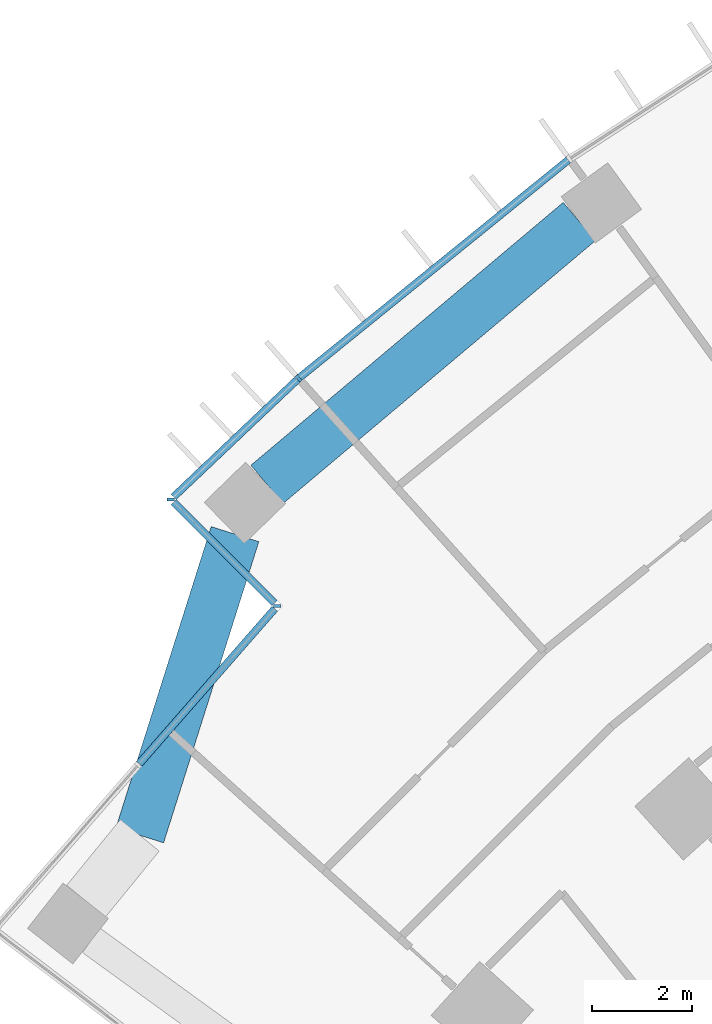
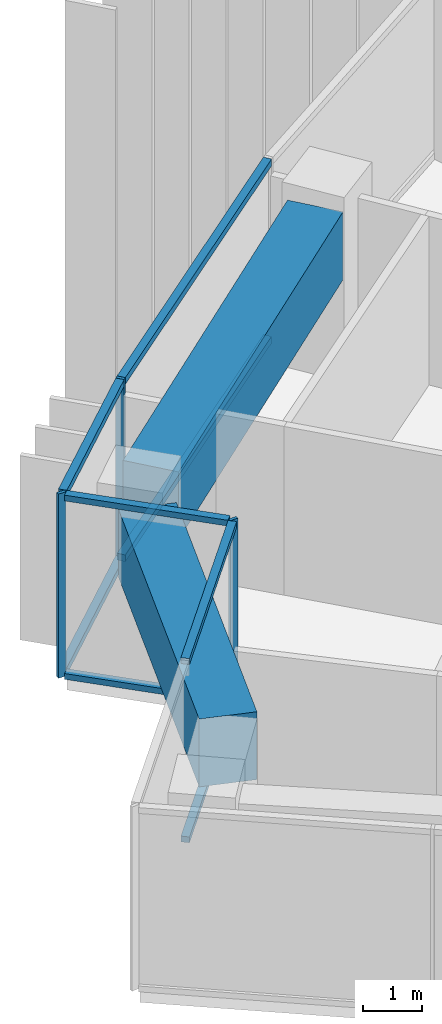
# One storey, part 4 of 23: 11 members, 2 beams, 3 elements without a shape of their own.
"""IFC4 building model written with IfcOpenShell, lengths in metres."""

import ifcopenshell
import ifcopenshell.guid

model = None  # the IFC model being written
_history = None  # IfcOwnerHistory: only IFC2X3 demands one
_inside = {}  # id of a spatial element -> (the spatial element, [elements in it])
_under = {}  # id of a project, library or spatial element -> (it, [spatial elements below it])
_declared = {}  # id of a project -> (the project, [libraries it declares])
_typed = {}  # id of a type object -> (the type object, [elements of that type])
_made_of = {}  # id of a material, layer set ... -> (it, [elements and type objects made of it])


def new_model(schema):
    """Start an empty IFC model of exactly this schema.

    Asked for "IFC4X3", IfcOpenShell would pick the latest addendum, in which some entities
    have other attributes; the version numbers below select the first issue.
    IFC2X3 requires an IfcOwnerHistory on every rooted entity: one is made here for all.
    """
    global model, _history
    if schema == "IFC4X3":
        model = ifcopenshell.file(schema_version=(4, 3, 0, 0))
    else:
        model = ifcopenshell.file(schema=schema)
    _inside.clear()
    _under.clear()
    _declared.clear()
    _typed.clear()
    _made_of.clear()
    _history = None
    if model.schema == "IFC2X3":
        org = make("IfcOrganization", Name="unknown")
        user = make(
            "IfcPersonAndOrganization",
            ThePerson=make("IfcPerson", FamilyName="unknown"),
            TheOrganization=org,
        )
        app = make(
            "IfcApplication",
            ApplicationDeveloper=org,
            Version="unknown",
            ApplicationFullName="unknown",
            ApplicationIdentifier="unknown",
        )
        _history = make(
            "IfcOwnerHistory",
            OwningUser=user,
            OwningApplication=app,
            ChangeAction="ADDED",
            CreationDate=0,
        )
    return model


def make(cls, **values):
    """One entity of the class cls with the attributes given. An attribute that is None is left unset."""
    return model.create_entity(
        cls, **{name: value for name, value in values.items() if value is not None}
    )


def rooted(cls, **values):
    """An entity with a GlobalId (a new one), such as an element, a storey or a relation."""
    return make(cls, GlobalId=ifcopenshell.guid.new(), OwnerHistory=_history, **values)


def si_unit(unit_type, name, prefix=None):
    """IfcSIUnit, for example si_unit("LENGTHUNIT", "METRE", prefix="MILLI")."""
    return make("IfcSIUnit", UnitType=unit_type, Prefix=prefix, Name=name)


def assignment(units):
    """IfcUnitAssignment: the units of a project."""
    return None if units is None else make("IfcUnitAssignment", Units=units)


def point(xyz):
    """IfcCartesianPoint."""
    return None if xyz is None else make("IfcCartesianPoint", Coordinates=xyz)


def direction(xyz):
    """IfcDirection."""
    return None if xyz is None else make("IfcDirection", DirectionRatios=xyz)


def frame(location, z_axis=None, x_axis=None):
    """IfcAxis2Placement3D, a coordinate frame: its origin and axes. An axis left out is left unset."""
    return make(
        "IfcAxis2Placement3D",
        Location=point(location),
        Axis=direction(z_axis),
        RefDirection=direction(x_axis),
    )


def frame_2d(location, x_axis=None):
    """IfcAxis2Placement2D, a coordinate frame in the plane: its origin and x axis."""
    return make(
        "IfcAxis2Placement2D", Location=point(location), RefDirection=direction(x_axis)
    )


def origin():
    """The frame at (0, 0, 0) with its axes left unset."""
    return frame((0.0, 0.0, 0.0))


def origin_2d():
    """The frame at (0, 0) in the plane with its x axis left unset."""
    return frame_2d((0.0, 0.0))


def place(relative_to, where):
    """IfcLocalPlacement: puts the frame where relative to a parent placement (None: the world)."""
    return make(
        "IfcLocalPlacement", PlacementRelTo=relative_to, RelativePlacement=where
    )


def context(
    kind, dimensions, precision=None, world=None, true_north=None, identifier=None
):
    """IfcGeometricRepresentationContext, for example the 3D "Model" context."""
    return make(
        "IfcGeometricRepresentationContext",
        ContextIdentifier=identifier,
        ContextType=kind,
        CoordinateSpaceDimension=dimensions,
        Precision=precision,
        WorldCoordinateSystem=world,
        TrueNorth=true_north,
    )


def subcontext(parent, identifier, kind, view, scale=None):
    """IfcGeometricRepresentationSubContext, for example "Body" below "Model"."""
    return make(
        "IfcGeometricRepresentationSubContext",
        ContextIdentifier=identifier,
        ContextType=kind,
        ParentContext=parent,
        TargetScale=scale,
        TargetView=view,
    )


def project(units=None, contexts=None):
    """IfcProject with its units and contexts."""
    return rooted(
        "IfcProject",
        Name="project",
        RepresentationContexts=contexts,
        UnitsInContext=assignment(units),
    )


def spatial(cls, under=None, at=None, **own):
    """A site, building, storey or space (cls), placed at a placement, below another one or the project."""
    s = rooted(cls, ObjectPlacement=at, **own)
    if under is not None:
        _under.setdefault(under.id(), (under, []))[1].append(s)
    return s


def profile(cls, at=None, kind="AREA", **sizes):
    """A parametric profile (cls). Its sizes go by their IFC names, for example OverallWidth=200.0."""
    return make(cls, ProfileType=kind, Position=at, **sizes)


def rectangle(**sizes):
    """IfcRectangleProfileDef."""
    return profile("IfcRectangleProfileDef", **sizes)


def extrude(swept, where, along, depth):
    """IfcExtrudedAreaSolid: the profile swept, set in the frame where, extruded along a direction by depth."""
    return make(
        "IfcExtrudedAreaSolid",
        SweptArea=swept,
        Position=where,
        ExtrudedDirection=direction(along),
        Depth=depth,
    )


def shape(context_of_items, identifier, shape_type, items):
    """IfcShapeRepresentation: the items that make up one representation, for example the "Body"."""
    return make(
        "IfcShapeRepresentation",
        ContextOfItems=context_of_items,
        RepresentationIdentifier=identifier,
        RepresentationType=shape_type,
        Items=items,
    )


def material(Name=None, Category=None):
    """IfcMaterial."""
    return make("IfcMaterial", Name=Name, Category=Category)


def layer(
    of_material, thickness, ventilated=None, Name=None, Category=None, Priority=None
):
    """IfcMaterialLayer: one layer of a wall or slab, of a material (None: an air gap)."""
    return make(
        "IfcMaterialLayer",
        Material=of_material,
        LayerThickness=thickness,
        IsVentilated=ventilated,
        Name=Name,
        Category=Category,
        Priority=Priority,
    )


def layer_set(layers, Name=None):
    """IfcMaterialLayerSet."""
    return make("IfcMaterialLayerSet", MaterialLayers=layers, LayerSetName=Name)


def material_profile(
    of_material, cross_section, Name=None, Category=None, Priority=None
):
    """IfcMaterialProfile: a cross section and its material."""
    return make(
        "IfcMaterialProfile",
        Name=Name,
        Material=of_material,
        Profile=cross_section,
        Priority=Priority,
        Category=Category,
    )


def profile_set(profiles, Name=None, composite=None):
    """IfcMaterialProfileSet."""
    return make(
        "IfcMaterialProfileSet",
        Name=Name,
        MaterialProfiles=profiles,
        CompositeProfile=composite,
    )


def made_of(thing, what):
    """Note that an element or type object is made of a material, layer set ...; save() writes the relation."""
    if what is not None:
        _made_of.setdefault(what.id(), (what, []))[1].append(thing)
    return thing


def type_object(cls, material=None, **own):
    """A type object (cls), such as IfcWallType, which elements share."""
    return made_of(rooted(cls, **own), material)


def element(
    cls,
    number,
    at=None,
    inside=None,
    cuts=None,
    type_object=None,
    material=None,
    context=None,
    identifier="Body",
    shape_type=None,
    held_by="IfcProductDefinitionShape",
    body=None,
    shapes=None,
    **own,
):
    """One element of the class cls, such as IfcWall. Its Tag is "e" and its number.

    at: its placement. inside: the storey or other place that contains it. cuts: it is an
    opening in that element (IfcRelVoidsElement). A single representation is given by context,
    identifier, shape_type and body (its items); several are given by shapes. held_by: the class
    of the entity that holds the representations. save() writes the other relations.
    """
    e = rooted(cls, Tag="e%d" % number, ObjectPlacement=at, **own)
    if body is not None:
        shapes = [shape(context, identifier, shape_type, body)]
    if shapes is not None:
        e.Representation = make(held_by, Representations=shapes)
    if inside is not None:
        _inside.setdefault(inside.id(), (inside, []))[1].append(e)
    if cuts is not None:
        rooted(
            "IfcRelVoidsElement", RelatingBuildingElement=cuts, RelatedOpeningElement=e
        )
    if type_object is not None:
        _typed.setdefault(type_object.id(), (type_object, []))[1].append(e)
    return made_of(e, material)


def aggregate(whole, parts):
    """IfcRelAggregates: a whole, such as a stair, and the parts it consists of."""
    return rooted("IfcRelAggregates", RelatingObject=whole, RelatedObjects=parts)


def save(model, path):
    """Write the relations noted so far, then the file.

    IfcRelAggregates (storeys below a building ...), IfcRelContainedInSpatialStructure (elements
    in a storey), IfcRelDefinesByType, IfcRelAssociatesMaterial and IfcRelDeclares: one each for
    every whole, place, type object, material and project.
    """
    for whole, parts in _under.values():
        aggregate(whole, parts)
    for where, things in _inside.values():
        rooted(
            "IfcRelContainedInSpatialStructure",
            RelatedElements=things,
            RelatingStructure=where,
        )
    for kind, things in _typed.values():
        rooted("IfcRelDefinesByType", RelatedObjects=things, RelatingType=kind)
    for what, things in _made_of.values():
        rooted("IfcRelAssociatesMaterial", RelatedObjects=things, RelatingMaterial=what)
    for by, libraries in _declared.values():
        rooted("IfcRelDeclares", RelatingContext=by, RelatedDefinitions=libraries)
    model.write(path)


model = new_model("IFC4")

# Units and contexts
model_context = context("Model", 3, precision=1e-05, world=origin(), true_north=direction((0.0, 1.0)))
body_context = subcontext(model_context, "Body", "Model", "MODEL_VIEW")
ifc_project = project(units=[si_unit("LENGTHUNIT", "METRE"), si_unit("AREAUNIT", "SQUARE_METRE"), si_unit("VOLUMEUNIT", "CUBIC_METRE"), si_unit("PLANEANGLEUNIT", "RADIAN"), si_unit("MASSUNIT", "GRAM", prefix="KILO")], contexts=[model_context])

# Site, building, storey
site_placement = place(None, origin())
site = spatial("IfcSite", under=ifc_project, at=site_placement, CompositionType="ELEMENT")
building_placement = place(site_placement, origin())
building = spatial("IfcBuilding", under=site, at=building_placement, Name="Stone Belt Terrace Tower", CompositionType="ELEMENT")
storey_placement = place(building_placement, frame((0.0, 0.0, 98.39990234375)))
storey = spatial("IfcBuildingStorey", under=building, at=storey_placement, Name="L23", CompositionType="ELEMENT", Elevation=98.39990234375)

# Curtain wall, members
ifc_material_1 = material(Name="Aluminium 6063-T6 anodised frame", Category="aluminium")
ifc_layer_1 = layer(ifc_material_1, 0.14990234375)
ifc_layer_set_1 = layer_set([ifc_layer_1], Name="CW-A unitised convex-face curtain wall")
curtain_wall_type_1 = type_object("IfcCurtainWallType", Name="CW-A unitised convex-face curtain wall", PredefinedType="NOTDEFINED", material=ifc_layer_set_1)
curtain_wall_1_placement = place(storey_placement, origin())
curtain_wall_1 = element("IfcCurtainWall", 1, at=curtain_wall_1_placement, inside=storey, type_object=curtain_wall_type_1, Name="CW-A convex face L23", PredefinedType="NOTDEFINED")
ifc_material_profile_1 = material_profile(ifc_material_1, rectangle(XDim=0.14990234375, YDim=0.06005859375, at=origin_2d()), Name="Aluminium 6063-T6 60x150")
ifc_profile_set_1 = profile_set([ifc_material_profile_1], Name="Aluminium 6063-T6 anodised frame")
member_type_1 = type_object("IfcMemberType", Name="CW-A mullion 60 x 150", PredefinedType="MULLION", material=ifc_profile_set_1)
member_1_placement = place(storey_placement, frame((-44.546630859375, 49.4755859375, 0.0), z_axis=(0.0, 0.0, 1.0), x_axis=(0.659207369679, -0.751961198308, 0.0)))
member_1 = element("IfcMember", 2, at=member_1_placement, type_object=member_type_1, Name="CW-A mullion 17", PredefinedType="MULLION", context=body_context, shape_type="SweptSolid", body=[
    extrude(rectangle(XDim=0.14990234375, YDim=0.06005859375, at=origin_2d()), origin(), (0.0, 0.0, 1.0), 3.800048828125),
])
ifc_material_profile_2 = material_profile(ifc_material_1, rectangle(XDim=0.14990234375, YDim=0.139892578125, at=origin_2d()), Name="Aluminium 6063-T6 150x140")
ifc_profile_set_2 = profile_set([ifc_material_profile_2], Name="Aluminium 6063-T6 anodised frame")
member_type_2 = type_object("IfcMemberType", Name="CW-A transom 140 x 150", PredefinedType="USERDEFINED", material=ifc_profile_set_2)
member_2_placement = place(storey_placement, frame((-39.158203125, 53.839111328125, 0.070068359375), z_axis=(-0.777141048626, -0.629326457842, 0.0), x_axis=(0.629326457842, -0.777141048626, 0.0)))
member_2 = element("IfcMember", 3, at=member_2_placement, type_object=member_type_2, Name="CW-A transom 16.1", ObjectType="TRANSOM", PredefinedType="USERDEFINED", context=body_context, shape_type="SweptSolid", body=[
    extrude(rectangle(XDim=0.14990234375, YDim=0.139892578125, at=origin_2d()), origin(), (0.0, 0.0, 1.0), 6.900634765625),
])
member_3_placement = place(storey_placement, frame((-39.158203125, 53.839111328125, 3.72998046875), z_axis=(-0.777141048626, -0.629326457842, 0.0), x_axis=(0.629326457842, -0.777141048626, 0.0)))
member_3 = element("IfcMember", 4, at=member_3_placement, type_object=member_type_2, Name="CW-A transom 16.2", ObjectType="TRANSOM", PredefinedType="USERDEFINED", context=body_context, shape_type="SweptSolid", body=[
    extrude(rectangle(XDim=0.14990234375, YDim=0.139892578125, at=origin_2d()), origin(), (0.0, 0.0, 1.0), 6.900634765625),
])
member_4_placement = place(storey_placement, frame((-44.570556640625, 49.452880859375, 0.070068359375), z_axis=(-0.7256436034, -0.688070752789, 0.0), x_axis=(0.688070752789, -0.7256436034, 0.0)))
member_4 = element("IfcMember", 5, at=member_4_placement, type_object=member_type_2, Name="CW-A transom 17.1", ObjectType="TRANSOM", PredefinedType="USERDEFINED", context=body_context, shape_type="SweptSolid", body=[
    extrude(rectangle(XDim=0.14990234375, YDim=0.139892578125, at=origin_2d()), origin(), (0.0, 0.0, 1.0), 3.40478515625),
])
member_5_placement = place(storey_placement, frame((-44.570556640625, 49.452880859375, 3.72998046875), z_axis=(-0.7256436034, -0.688070752789, 0.0), x_axis=(0.688070752789, -0.7256436034, 0.0)))
member_5 = element("IfcMember", 6, at=member_5_placement, type_object=member_type_2, Name="CW-A transom 17.2", ObjectType="TRANSOM", PredefinedType="USERDEFINED", context=body_context, shape_type="SweptSolid", body=[
    extrude(rectangle(XDim=0.14990234375, YDim=0.139892578125, at=origin_2d()), origin(), (0.0, 0.0, 1.0), 3.40478515625),
])
aggregate(curtain_wall_1, [member_1, member_2, member_3, member_4, member_5])

# Curtain wall, member
ifc_layer_2 = layer(ifc_material_1, 0.14990234375)
ifc_layer_set_2 = layer_set([ifc_layer_2], Name="CW-C stick curtain wall, horn ends and notches")
curtain_wall_type_2 = type_object("IfcCurtainWallType", Name="CW-C stick curtain wall, horn ends and notches", PredefinedType="NOTDEFINED", material=ifc_layer_set_2)
curtain_wall_2_placement = place(storey_placement, origin())
curtain_wall_2 = element("IfcCurtainWall", 7, at=curtain_wall_2_placement, inside=storey, type_object=curtain_wall_type_2, Name="CW-C notch face L23", PredefinedType="NOTDEFINED")
ifc_material_profile_3 = material_profile(ifc_material_1, rectangle(XDim=0.14990234375, YDim=0.06005859375, at=origin_2d()), Name="Aluminium 6063-T6 60x150")
ifc_profile_set_3 = profile_set([ifc_material_profile_3], Name="Aluminium 6063-T6 anodised frame")
member_type_3 = type_object("IfcMemberType", Name="CW-C mullion 60 x 150", PredefinedType="MULLION", material=ifc_profile_set_3)
member_6_placement = place(storey_placement, frame((-47.095458984375, 47.05859375, 0.0), z_axis=(0.0, 0.0, 1.0), x_axis=(0.999906944568, -0.013641928165, 0.0)))
member_6 = element("IfcMember", 8, at=member_6_placement, type_object=member_type_3, Name="CW-C mullion 1", PredefinedType="MULLION", context=body_context, shape_type="SweptSolid", body=[
    extrude(rectangle(XDim=0.14990234375, YDim=0.06005859375, at=origin_2d()), origin(), (0.0, 0.0, 1.0), 3.800048828125),
])

curtain_wall_3_placement = place(storey_placement, origin())
curtain_wall_3 = element("IfcCurtainWall", 9, at=curtain_wall_3_placement, inside=storey, type_object=curtain_wall_type_2, Name="CW-C notch face L23", PredefinedType="NOTDEFINED")
member_7_placement = place(storey_placement, frame((-44.970703125, 44.930908203125, 0.0), z_axis=(0.0, 0.0, 1.0), x_axis=(0.999452308644, 0.033092034477, 0.0)))
member_7 = element("IfcMember", 10, at=member_7_placement, type_object=member_type_3, Name="CW-C mullion 1", PredefinedType="MULLION", context=body_context, shape_type="SweptSolid", body=[
    extrude(rectangle(XDim=0.14990234375, YDim=0.06005859375, at=origin_2d()), origin(), (0.0, 0.0, 1.0), 3.800048828125),
])

# Member
ifc_material_profile_4 = material_profile(ifc_material_1, rectangle(XDim=0.14990234375, YDim=0.1201171875, at=origin_2d()), Name="Aluminium 6063-T6 150x120")
ifc_profile_set_4 = profile_set([ifc_material_profile_4], Name="Aluminium 6063-T6 anodised frame")
member_type_4 = type_object("IfcMemberType", Name="CW-C transom 120 x 150", PredefinedType="USERDEFINED", material=ifc_profile_set_4)
member_8_placement = place(storey_placement, frame((-47.042724609375, 47.005859375, 0.06005859375), z_axis=(0.706594261373, -0.707618929788, 0.0), x_axis=(0.707618929788, 0.706594261373, 0.0)))
member_8 = element("IfcMember", 11, at=member_8_placement, type_object=member_type_4, Name="CW-C transom 1.1", ObjectType="TRANSOM", PredefinedType="USERDEFINED", context=body_context, shape_type="SweptSolid", body=[
    extrude(rectangle(XDim=0.14990234375, YDim=0.1201171875, at=origin_2d()), origin(), (0.0, 0.0, 1.0), 2.859130859375),
])

member_9_placement = place(storey_placement, frame((-47.042724609375, 47.005859375, 3.739990234375), z_axis=(0.706594261373, -0.707618929788, 0.0), x_axis=(0.707618929788, 0.706594261373, 0.0)))
member_9 = element("IfcMember", 12, at=member_9_placement, type_object=member_type_4, Name="CW-C transom 1.2", ObjectType="TRANSOM", PredefinedType="USERDEFINED", context=body_context, shape_type="SweptSolid", body=[
    extrude(rectangle(XDim=0.14990234375, YDim=0.1201171875, at=origin_2d()), origin(), (0.0, 0.0, 1.0), 2.859130859375),
])

aggregate(curtain_wall_2, [member_6, member_8, member_9])

member_10_placement = place(storey_placement, frame((-45.01904296875, 44.8759765625, 0.06005859375), z_axis=(-0.658210928233, -0.752833563249, 0.0), x_axis=(0.752833563249, -0.658210928233, 0.0)))
member_10 = element("IfcMember", 13, at=member_10_placement, type_object=member_type_4, Name="CW-C transom 1.1", ObjectType="TRANSOM", PredefinedType="USERDEFINED", context=body_context, shape_type="SweptSolid", body=[
    extrude(rectangle(XDim=0.14990234375, YDim=0.1201171875, at=origin_2d()), origin(), (0.0, 0.0, 1.0), 4.12060546875),
])

member_11_placement = place(storey_placement, frame((-45.01904296875, 44.8759765625, 3.739990234375), z_axis=(-0.658210928233, -0.752833563249, 0.0), x_axis=(0.752833563249, -0.658210928233, 0.0)))
member_11 = element("IfcMember", 14, at=member_11_placement, type_object=member_type_4, Name="CW-C transom 1.2", ObjectType="TRANSOM", PredefinedType="USERDEFINED", context=body_context, shape_type="SweptSolid", body=[
    extrude(rectangle(XDim=0.14990234375, YDim=0.1201171875, at=origin_2d()), origin(), (0.0, 0.0, 1.0), 4.12060546875),
])

aggregate(curtain_wall_3, [member_7, member_10, member_11])

# Beams
ifc_material_2 = material(Name="Concrete B80", Category="concrete")
ifc_material_profile_5 = material_profile(ifc_material_2, rectangle(XDim=1.0, YDim=1.39990234375, at=origin_2d()), Name="RC 1000x1400")
ifc_profile_set_5 = profile_set([ifc_material_profile_5], Name="Concrete B80")
beam_type = type_object("IfcBeamType", Name="Transfer beam RC 1000x1400 B80", PredefinedType="BEAM", material=ifc_profile_set_5)
beam_1_placement = place(storey_placement, frame((-47.71826171875, 40.34619140625, 2.780029296875), z_axis=(0.301534879787, 0.953455146439, 0.0), x_axis=(-0.953455146439, 0.301534879787, 0.0)))
element("IfcBeam", 15, at=beam_1_placement, inside=storey, type_object=beam_type, Name="Transfer beam L23 RRA-RNA", PredefinedType="BEAM", context=body_context, shape_type="SweptSolid", body=[
    extrude(rectangle(XDim=1.0, YDim=1.39990234375, at=origin_2d()), origin(), (0.0, 0.0, 1.0), 6.31201171875),
])
beam_2_placement = place(storey_placement, frame((-45.1767578125, 47.3583984375, 2.780029296875), z_axis=(0.765175772442, 0.64382143275, 0.0), x_axis=(-0.64382143275, 0.765175772442, 0.0)))
element("IfcBeam", 16, at=beam_2_placement, inside=storey, type_object=beam_type, Name="Transfer beam L23 RRNA-R16", PredefinedType="BEAM", context=body_context, shape_type="SweptSolid", body=[
    extrude(rectangle(XDim=1.0, YDim=1.39990234375, at=origin_2d()), origin(), (0.0, 0.0, 1.0), 8.157958984375),
])

save(model, "model.ifc")
